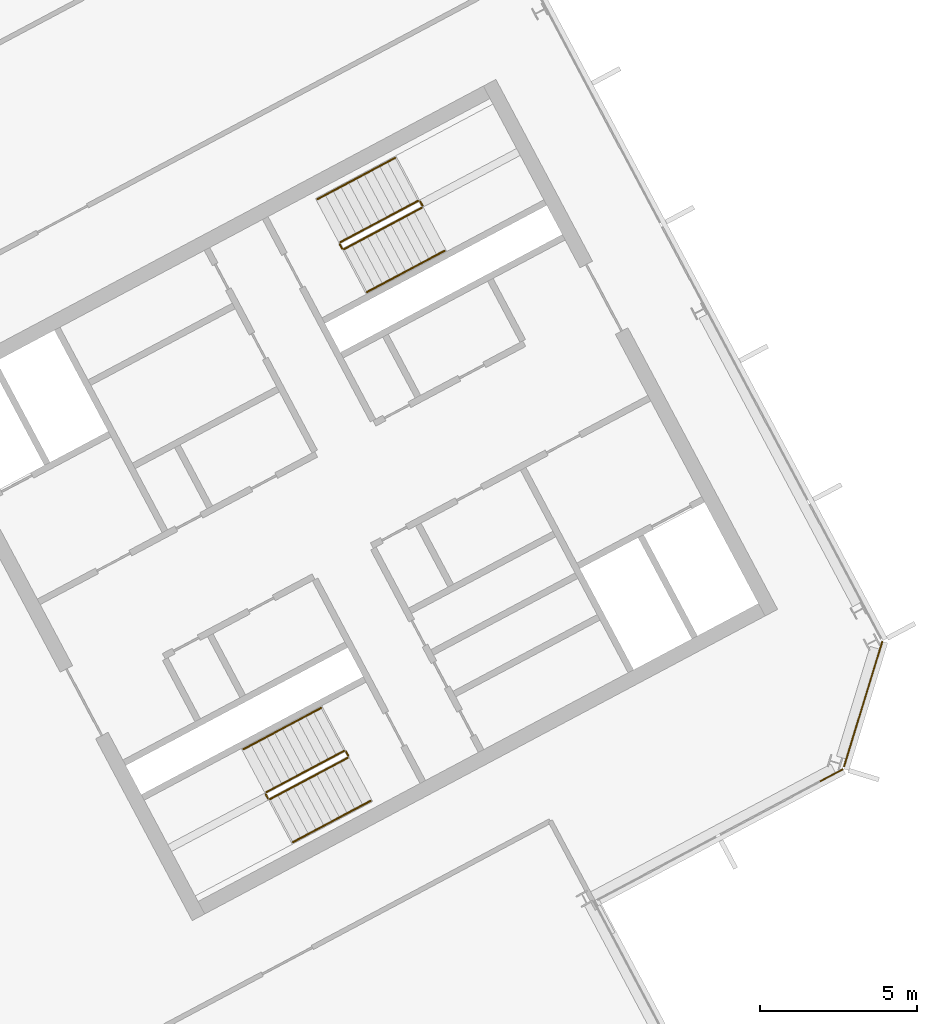
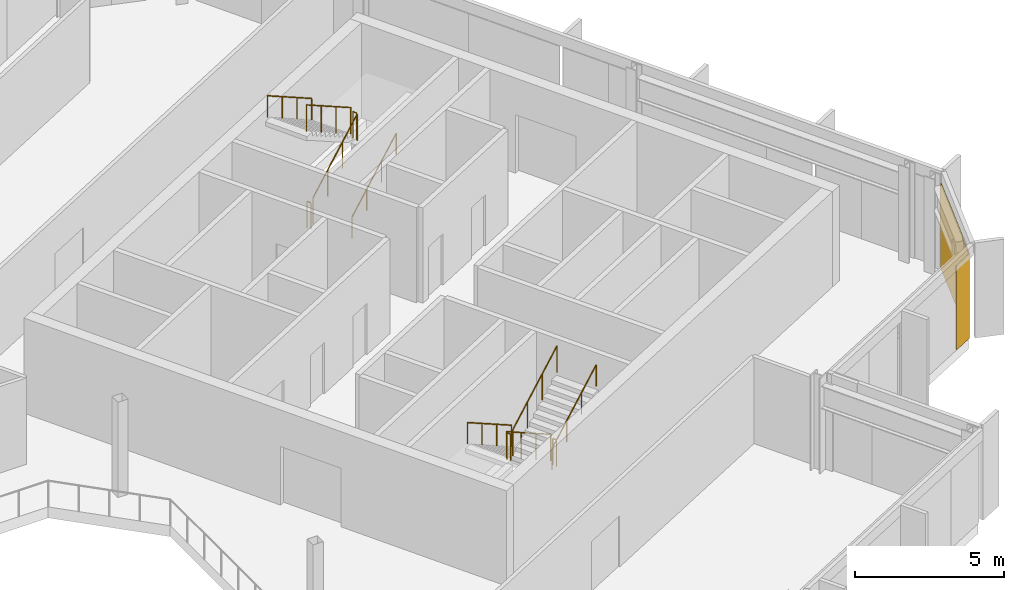
# One storey, part 25 of 26: 12 railings, 2 coverings, 2 elements without a shape of their own.
"""IFC4 building model written with IfcOpenShell, lengths in metres."""

from ifc_helpers import new_model, si_unit, direction, frame, origin, origin_2d, place, context, subcontext, project, spatial, polyline, rectangle, outline, extrude, material, layer, layer_set, type_object, element, aggregate, save


model = new_model("IFC4")

# Units and contexts
model_context = context("Model", 3, precision=1e-05, world=origin(), true_north=direction((0.0, 1.0)))
body_context = subcontext(model_context, "Body", "Model", "MODEL_VIEW")
ifc_project = project(units=[si_unit("LENGTHUNIT", "METRE"), si_unit("AREAUNIT", "SQUARE_METRE"), si_unit("VOLUMEUNIT", "CUBIC_METRE"), si_unit("PLANEANGLEUNIT", "RADIAN"), si_unit("MASSUNIT", "GRAM", prefix="KILO")], contexts=[model_context])

# Site, building, storey
site_placement = place(None, origin())
site = spatial("IfcSite", under=ifc_project, at=site_placement, CompositionType="ELEMENT")
building_placement = place(site_placement, origin())
building = spatial("IfcBuilding", under=site, at=building_placement, Name="Cormorant Relay Tower", CompositionType="ELEMENT")
storey_placement = place(building_placement, frame((0.0, 0.0, 320.39990234375)))
storey = spatial("IfcBuildingStorey", under=building, at=storey_placement, Name="L73", CompositionType="ELEMENT", Elevation=320.39990234375)

# Curtain wall, covering
ifc_material_1 = material(Name="Aluminium 6063-T6 anodised bronze", Category="aluminium")
ifc_layer_1 = layer(ifc_material_1, 0.199951171875)
ifc_layer_set_1 = layer_set([ifc_layer_1], Name="CW1 unitised bronze curtain wall with vertical fins")
curtain_wall_type = type_object("IfcCurtainWallType", Name="CW1 unitised bronze curtain wall with vertical fins", PredefinedType="NOTDEFINED", material=ifc_layer_set_1)
curtain_wall_1_placement = place(storey_placement, origin())
curtain_wall_1 = element("IfcCurtainWall", 1, at=curtain_wall_1_placement, inside=storey, type_object=curtain_wall_type, Name="CW1 curtain wall 4", PredefinedType="NOTDEFINED")
ifc_material_2 = material(Name="Pale bronze anodised aluminium insulated panel", Category="aluminium")
ifc_layer_2 = layer(ifc_material_2, 0.0400390625)
ifc_layer_set_2 = layer_set([ifc_layer_2], Name="CW1 pale bronze insulated panel 40")
covering_type = type_object("IfcCoveringType", Name="CW1 pale bronze insulated panel 40", PredefinedType="CLADDING", material=ifc_layer_set_2)
covering_1_placement = place(storey_placement, frame((39.356201171875, 3.914794921875, 0.0), z_axis=(0.0, 0.0, 1.0), x_axis=(0.882947592859, 0.469471562786, 0.0)))
covering_1 = element("IfcCovering", 2, at=covering_1_placement, type_object=covering_type, Name="CW1 panel S03", PredefinedType="CLADDING", context=body_context, shape_type="SweptSolid", body=[
    extrude(rectangle(XDim=0.824951171875, YDim=0.0400390625, at=origin_2d()), origin(), (0.0, 0.0, 1.0), 3.449951171875),
])
aggregate(curtain_wall_1, [covering_1])

curtain_wall_2_placement = place(storey_placement, origin())
curtain_wall_2 = element("IfcCurtainWall", 3, at=curtain_wall_2_placement, inside=storey, type_object=curtain_wall_type, Name="CW1 curtain wall 5", PredefinedType="NOTDEFINED")
covering_2_placement = place(storey_placement, frame((40.361328125, 6.184814453125, 0.0), z_axis=(0.0, 0.0, 1.0), x_axis=(0.292371704723, 0.956304755963, 0.0)))
covering_2 = element("IfcCovering", 4, at=covering_2_placement, type_object=covering_type, Name="CW1 panel S00", PredefinedType="CLADDING", context=body_context, shape_type="SweptSolid", body=[
    extrude(rectangle(XDim=4.16748046875, YDim=0.0400390625, at=origin_2d()), origin(), (0.0, 0.0, 1.0), 3.449951171875),
])
aggregate(curtain_wall_2, [covering_2])

# Railings
ifc_material_3 = material(Name="Steel ASTM A572 Grade 50 (Fy 345 MPa)", Category="steel")
railing_type_1 = type_object("IfcRailingType", Name="Stair guard 1100", PredefinedType="GUARDRAIL", material=ifc_material_3)
railing_1_placement = place(storey_placement, frame((23.83837890625, 4.6904296875, 0.177490234375)))
element("IfcRailing", 5, at=railing_1_placement, inside=storey, type_object=railing_type_1, Name="L73 B1 stair guard 1", PredefinedType="GUARDRAIL", context=body_context, shape_type="SweptSolid", body=[
    extrude(outline(polyline([(0.022216796875, 0.00927734375), (0.00927734375, 0.022216796875), (-0.00927734375, 0.022216796875), (-0.022216796875, 0.00927734375), (-0.022216796875, -0.00927734375), (-0.00927734375, -0.022216796875), (0.00927734375, -0.022216796875), (0.022216796875, -0.00927734375), (0.022216796875, 0.00927734375)])), frame((0.0, 0.0, 1.076171875), z_axis=(-0.746033882577, -0.396627473466, 0.534901947407), x_axis=(0.469429322983, -0.882970050864, 0.0)), (0.0, 0.0, 1.0), 3.31396484375),
    extrude(outline(polyline([(0.019287109375, 0.008056640625), (0.008056640625, 0.019287109375), (-0.008056640625, 0.019287109375), (-0.019287109375, 0.008056640625), (-0.019287109375, -0.008056640625), (-0.008056640625, -0.019287109375), (0.008056640625, -0.019287109375), (0.019287109375, -0.008056640625), (0.019287109375, 0.008056640625)])), origin(), (0.0, 0.0, 1.0), 1.052001953125),
    extrude(outline(polyline([(0.019287109375, 0.008056640625), (0.008056640625, 0.019287109375), (-0.008056640625, 0.019287109375), (-0.019287109375, 0.008056640625), (-0.019287109375, -0.008056640625), (-0.008056640625, -0.019287109375), (0.008056640625, -0.019287109375), (0.019287109375, -0.008056640625), (0.019287109375, 0.008056640625)])), frame((-0.82421875, -0.438232421875, 0.5908203125)), (0.0, 0.0, 1.0), 1.052001953125),
    extrude(outline(polyline([(0.019287109375, 0.008056640625), (0.008056640625, 0.019287109375), (-0.008056640625, 0.019287109375), (-0.019287109375, 0.008056640625), (-0.019287109375, -0.008056640625), (-0.008056640625, -0.019287109375), (0.008056640625, -0.019287109375), (0.019287109375, -0.008056640625), (0.019287109375, 0.008056640625)])), frame((-1.648193359375, -0.876220703125, 1.181884765625)), (0.0, 0.0, 1.0), 1.052001953125),
    extrude(outline(polyline([(0.019287109375, 0.008056640625), (0.008056640625, 0.019287109375), (-0.008056640625, 0.019287109375), (-0.019287109375, 0.008056640625), (-0.019287109375, -0.008056640625), (-0.008056640625, -0.019287109375), (0.008056640625, -0.019287109375), (0.019287109375, -0.008056640625), (0.019287109375, 0.008056640625)])), frame((-2.472412109375, -1.314453125, 1.772705078125)), (0.0, 0.0, 1.0), 1.052001953125),
])
railing_2_placement = place(storey_placement, frame((21.345458984375, 3.308349609375, 1.9501953125)))
element("IfcRailing", 6, at=railing_2_placement, inside=storey, type_object=railing_type_1, Name="L73 B1 stair guard 2", PredefinedType="GUARDRAIL", context=body_context, shape_type="SweptSolid", body=[
    extrude(outline(polyline([(0.022216796875, 0.00927734375), (0.00927734375, 0.022216796875), (-0.00927734375, 0.022216796875), (-0.022216796875, 0.00927734375), (-0.022216796875, -0.00927734375), (-0.00927734375, -0.022216796875), (0.00927734375, -0.022216796875), (0.022216796875, -0.00927734375), (0.022216796875, 0.00927734375)])), frame((0.0, 0.0, 1.076171875), z_axis=(0.46856034887, -0.8834314911, 0.0), x_axis=(0.8834314911, 0.46856034887, 0.0)), (0.0, 0.0, 1.0), 0.150146484375),
    extrude(outline(polyline([(0.019287109375, 0.008056640625), (0.008056640625, 0.019287109375), (-0.008056640625, 0.019287109375), (-0.019287109375, 0.008056640625), (-0.019287109375, -0.008056640625), (-0.008056640625, -0.019287109375), (0.008056640625, -0.019287109375), (0.019287109375, -0.008056640625), (0.019287109375, 0.008056640625)])), origin(), (0.0, 0.0, 1.0), 1.052001953125),
    extrude(outline(polyline([(0.019287109375, 0.008056640625), (0.008056640625, 0.019287109375), (-0.008056640625, 0.019287109375), (-0.019287109375, 0.008056640625), (-0.019287109375, -0.008056640625), (-0.008056640625, -0.019287109375), (0.008056640625, -0.019287109375), (0.019287109375, -0.008056640625), (0.019287109375, 0.008056640625)])), frame((0.0703125, -0.132568359375, 0.0)), (0.0, 0.0, 1.0), 1.052001953125),
])
railing_3_placement = place(storey_placement, frame((21.4833984375, 3.1552734375, 2.12744140625)))
element("IfcRailing", 7, at=railing_3_placement, inside=storey, type_object=railing_type_1, Name="L73 B1 stair guard 3", PredefinedType="GUARDRAIL", context=body_context, shape_type="SweptSolid", body=[
    extrude(outline(polyline([(0.022216796875, 0.00927734375), (0.00927734375, 0.022216796875), (-0.00927734375, 0.022216796875), (-0.022216796875, 0.00927734375), (-0.022216796875, -0.00927734375), (-0.00927734375, -0.022216796875), (0.00927734375, -0.022216796875), (0.022216796875, -0.00927734375), (0.022216796875, 0.00927734375)])), frame((0.0, 0.0, 1.076171875), z_axis=(0.746001213114, 0.396649272309, 0.534931345884), x_axis=(-0.469465464807, 0.882950835185, 0.0)), (0.0, 0.0, 1.0), 3.31396484375),
    extrude(outline(polyline([(0.019287109375, 0.008056640625), (0.008056640625, 0.019287109375), (-0.008056640625, 0.019287109375), (-0.019287109375, 0.008056640625), (-0.019287109375, -0.008056640625), (-0.008056640625, -0.019287109375), (0.008056640625, -0.019287109375), (0.019287109375, -0.008056640625), (0.019287109375, 0.008056640625)])), origin(), (0.0, 0.0, 1.0), 1.052001953125),
    extrude(outline(polyline([(0.019287109375, 0.008056640625), (0.008056640625, 0.019287109375), (-0.008056640625, 0.019287109375), (-0.019287109375, 0.008056640625), (-0.019287109375, -0.008056640625), (-0.008056640625, -0.019287109375), (0.008056640625, -0.019287109375), (0.019287109375, -0.008056640625), (0.019287109375, 0.008056640625)])), frame((0.823974609375, 0.438232421875, 0.5908203125)), (0.0, 0.0, 1.0), 1.052001953125),
    extrude(outline(polyline([(0.019287109375, 0.008056640625), (0.008056640625, 0.019287109375), (-0.008056640625, 0.019287109375), (-0.019287109375, 0.008056640625), (-0.019287109375, -0.008056640625), (-0.008056640625, -0.019287109375), (0.008056640625, -0.019287109375), (0.019287109375, -0.008056640625), (0.019287109375, 0.008056640625)])), frame((1.648193359375, 0.876220703125, 1.181884765625)), (0.0, 0.0, 1.0), 1.052001953125),
    extrude(outline(polyline([(0.019287109375, 0.008056640625), (0.008056640625, 0.019287109375), (-0.008056640625, 0.019287109375), (-0.019287109375, 0.008056640625), (-0.019287109375, -0.008056640625), (-0.008056640625, -0.019287109375), (0.008056640625, -0.019287109375), (0.019287109375, -0.008056640625), (0.019287109375, 0.008056640625)])), frame((2.47216796875, 1.314453125, 1.772705078125)), (0.0, 0.0, 1.0), 1.052001953125),
])
railing_4_placement = place(storey_placement, frame((23.906005859375, 4.669677734375, 0.0)))
element("IfcRailing", 8, at=railing_4_placement, inside=storey, type_object=railing_type_1, Name="L73 B1 stair guard 4", PredefinedType="GUARDRAIL", context=body_context, shape_type="SweptSolid", body=[
    extrude(outline(polyline([(0.022216796875, 0.00927734375), (0.00927734375, 0.022216796875), (-0.00927734375, 0.022216796875), (-0.022216796875, 0.00927734375), (-0.022216796875, -0.00927734375), (-0.00927734375, -0.022216796875), (0.00927734375, -0.022216796875), (0.022216796875, -0.00927734375), (0.022216796875, 0.00927734375)])), frame((0.0, 0.0, 1.076171875), z_axis=(0.469234640946, -0.883073525669, 0.0), x_axis=(0.883073525669, 0.469234640946, 0.0)), (0.0, 0.0, 1.0), 0.14990234375),
    extrude(outline(polyline([(0.019287109375, 0.008056640625), (0.008056640625, 0.019287109375), (-0.008056640625, 0.019287109375), (-0.019287109375, 0.008056640625), (-0.019287109375, -0.008056640625), (-0.008056640625, -0.019287109375), (0.008056640625, -0.019287109375), (0.019287109375, -0.008056640625), (0.019287109375, 0.008056640625)])), origin(), (0.0, 0.0, 1.0), 1.052001953125),
    extrude(outline(polyline([(0.019287109375, 0.008056640625), (0.008056640625, 0.019287109375), (-0.008056640625, 0.019287109375), (-0.019287109375, 0.008056640625), (-0.019287109375, -0.008056640625), (-0.008056640625, -0.019287109375), (0.008056640625, -0.019287109375), (0.019287109375, -0.008056640625), (0.019287109375, 0.008056640625)])), frame((0.0703125, -0.13232421875, 0.0)), (0.0, 0.0, 1.0), 1.052001953125),
])
railing_5_placement = place(storey_placement, frame((23.8408203125, 20.6611328125, 0.177490234375)))
element("IfcRailing", 9, at=railing_5_placement, inside=storey, type_object=railing_type_1, Name="L73 B2 stair guard 1", PredefinedType="GUARDRAIL", context=body_context, shape_type="SweptSolid", body=[
    extrude(outline(polyline([(0.022216796875, 0.00927734375), (0.00927734375, 0.022216796875), (-0.00927734375, 0.022216796875), (-0.022216796875, 0.00927734375), (-0.022216796875, -0.00927734375), (-0.00927734375, -0.022216796875), (0.00927734375, -0.022216796875), (0.022216796875, -0.00927734375), (0.022216796875, 0.00927734375)])), frame((0.0, 0.0, 1.076171875), z_axis=(0.746033882577, 0.396627473466, 0.534901947407), x_axis=(-0.469429322983, 0.882970050864, 0.0)), (0.0, 0.0, 1.0), 3.31396484375),
    extrude(outline(polyline([(0.019287109375, 0.008056640625), (0.008056640625, 0.019287109375), (-0.008056640625, 0.019287109375), (-0.019287109375, 0.008056640625), (-0.019287109375, -0.008056640625), (-0.008056640625, -0.019287109375), (0.008056640625, -0.019287109375), (0.019287109375, -0.008056640625), (0.019287109375, 0.008056640625)])), origin(), (0.0, 0.0, 1.0), 1.052001953125),
    extrude(outline(polyline([(0.019287109375, 0.008056640625), (0.008056640625, 0.019287109375), (-0.008056640625, 0.019287109375), (-0.019287109375, 0.008056640625), (-0.019287109375, -0.008056640625), (-0.008056640625, -0.019287109375), (0.008056640625, -0.019287109375), (0.019287109375, -0.008056640625), (0.019287109375, 0.008056640625)])), frame((0.82421875, 0.438232421875, 0.5908203125)), (0.0, 0.0, 1.0), 1.052001953125),
    extrude(outline(polyline([(0.019287109375, 0.008056640625), (0.008056640625, 0.019287109375), (-0.008056640625, 0.019287109375), (-0.019287109375, 0.008056640625), (-0.019287109375, -0.008056640625), (-0.008056640625, -0.019287109375), (0.008056640625, -0.019287109375), (0.019287109375, -0.008056640625), (0.019287109375, 0.008056640625)])), frame((1.648193359375, 0.876220703125, 1.181884765625)), (0.0, 0.0, 1.0), 1.052001953125),
    extrude(outline(polyline([(0.019287109375, 0.008056640625), (0.008056640625, 0.019287109375), (-0.008056640625, 0.019287109375), (-0.019287109375, 0.008056640625), (-0.019287109375, -0.008056640625), (-0.008056640625, -0.019287109375), (0.008056640625, -0.019287109375), (0.019287109375, -0.008056640625), (0.019287109375, 0.008056640625)])), frame((2.472412109375, 1.314453125, 1.772705078125)), (0.0, 0.0, 1.0), 1.052001953125),
])
railing_6_placement = place(storey_placement, frame((26.333740234375, 22.043212890625, 1.9501953125)))
element("IfcRailing", 10, at=railing_6_placement, inside=storey, type_object=railing_type_1, Name="L73 B2 stair guard 2", PredefinedType="GUARDRAIL", context=body_context, shape_type="SweptSolid", body=[
    extrude(outline(polyline([(0.022216796875, 0.00927734375), (0.00927734375, 0.022216796875), (-0.00927734375, 0.022216796875), (-0.022216796875, 0.00927734375), (-0.022216796875, -0.00927734375), (-0.00927734375, -0.022216796875), (0.00927734375, -0.022216796875), (0.022216796875, -0.00927734375), (0.022216796875, 0.00927734375)])), frame((0.0, 0.0, 1.076171875), z_axis=(-0.469234640946, 0.883073525669, 0.0), x_axis=(-0.883073525669, -0.469234640946, 0.0)), (0.0, 0.0, 1.0), 0.14990234375),
    extrude(outline(polyline([(0.019287109375, 0.008056640625), (0.008056640625, 0.019287109375), (-0.008056640625, 0.019287109375), (-0.019287109375, 0.008056640625), (-0.019287109375, -0.008056640625), (-0.008056640625, -0.019287109375), (0.008056640625, -0.019287109375), (0.019287109375, -0.008056640625), (0.019287109375, 0.008056640625)])), origin(), (0.0, 0.0, 1.0), 1.052001953125),
    extrude(outline(polyline([(0.019287109375, 0.008056640625), (0.008056640625, 0.019287109375), (-0.008056640625, 0.019287109375), (-0.019287109375, 0.008056640625), (-0.019287109375, -0.008056640625), (-0.008056640625, -0.019287109375), (0.008056640625, -0.019287109375), (0.019287109375, -0.008056640625), (0.019287109375, 0.008056640625)])), frame((-0.0703125, 0.13232421875, 0.0)), (0.0, 0.0, 1.0), 1.052001953125),
])
railing_7_placement = place(storey_placement, frame((26.19580078125, 22.1962890625, 2.12744140625)))
element("IfcRailing", 11, at=railing_7_placement, inside=storey, type_object=railing_type_1, Name="L73 B2 stair guard 3", PredefinedType="GUARDRAIL", context=body_context, shape_type="SweptSolid", body=[
    extrude(outline(polyline([(0.022216796875, 0.00927734375), (0.00927734375, 0.022216796875), (-0.00927734375, 0.022216796875), (-0.022216796875, 0.00927734375), (-0.022216796875, -0.00927734375), (-0.00927734375, -0.022216796875), (0.00927734375, -0.022216796875), (0.022216796875, -0.00927734375), (0.022216796875, 0.00927734375)])), frame((0.0, 0.0, 1.076171875), z_axis=(-0.746033882577, -0.396627473466, 0.534901947407), x_axis=(0.469429322983, -0.882970050864, 0.0)), (0.0, 0.0, 1.0), 3.31396484375),
    extrude(outline(polyline([(0.019287109375, 0.008056640625), (0.008056640625, 0.019287109375), (-0.008056640625, 0.019287109375), (-0.019287109375, 0.008056640625), (-0.019287109375, -0.008056640625), (-0.008056640625, -0.019287109375), (0.008056640625, -0.019287109375), (0.019287109375, -0.008056640625), (0.019287109375, 0.008056640625)])), origin(), (0.0, 0.0, 1.0), 1.052001953125),
    extrude(outline(polyline([(0.019287109375, 0.008056640625), (0.008056640625, 0.019287109375), (-0.008056640625, 0.019287109375), (-0.019287109375, 0.008056640625), (-0.019287109375, -0.008056640625), (-0.008056640625, -0.019287109375), (0.008056640625, -0.019287109375), (0.019287109375, -0.008056640625), (0.019287109375, 0.008056640625)])), frame((-0.82421875, -0.438232421875, 0.5908203125)), (0.0, 0.0, 1.0), 1.052001953125),
    extrude(outline(polyline([(0.019287109375, 0.008056640625), (0.008056640625, 0.019287109375), (-0.008056640625, 0.019287109375), (-0.019287109375, 0.008056640625), (-0.019287109375, -0.008056640625), (-0.008056640625, -0.019287109375), (0.008056640625, -0.019287109375), (0.019287109375, -0.008056640625), (0.019287109375, 0.008056640625)])), frame((-1.648193359375, -0.876220703125, 1.181884765625)), (0.0, 0.0, 1.0), 1.052001953125),
    extrude(outline(polyline([(0.019287109375, 0.008056640625), (0.008056640625, 0.019287109375), (-0.008056640625, 0.019287109375), (-0.019287109375, 0.008056640625), (-0.019287109375, -0.008056640625), (-0.008056640625, -0.019287109375), (0.008056640625, -0.019287109375), (0.019287109375, -0.008056640625), (0.019287109375, 0.008056640625)])), frame((-2.472412109375, -1.314453125, 1.772705078125)), (0.0, 0.0, 1.0), 1.052001953125),
])
railing_8_placement = place(storey_placement, frame((23.773193359375, 20.681640625, 0.0)))
element("IfcRailing", 12, at=railing_8_placement, inside=storey, type_object=railing_type_1, Name="L73 B2 stair guard 4", PredefinedType="GUARDRAIL", context=body_context, shape_type="SweptSolid", body=[
    extrude(outline(polyline([(0.022216796875, 0.00927734375), (0.00927734375, 0.022216796875), (-0.00927734375, 0.022216796875), (-0.022216796875, 0.00927734375), (-0.022216796875, -0.00927734375), (-0.00927734375, -0.022216796875), (0.00927734375, -0.022216796875), (0.022216796875, -0.00927734375), (0.022216796875, 0.00927734375)])), frame((0.0, 0.0, 1.076171875), z_axis=(-0.46856034887, 0.8834314911, 0.0), x_axis=(-0.8834314911, -0.46856034887, 0.0)), (0.0, 0.0, 1.0), 0.150146484375),
    extrude(outline(polyline([(0.019287109375, 0.008056640625), (0.008056640625, 0.019287109375), (-0.008056640625, 0.019287109375), (-0.019287109375, 0.008056640625), (-0.019287109375, -0.008056640625), (-0.008056640625, -0.019287109375), (0.008056640625, -0.019287109375), (0.019287109375, -0.008056640625), (0.019287109375, 0.008056640625)])), origin(), (0.0, 0.0, 1.0), 1.052001953125),
    extrude(outline(polyline([(0.019287109375, 0.008056640625), (0.008056640625, 0.019287109375), (-0.008056640625, 0.019287109375), (-0.019287109375, 0.008056640625), (-0.019287109375, -0.008056640625), (-0.008056640625, -0.019287109375), (0.008056640625, -0.019287109375), (0.019287109375, -0.008056640625), (0.019287109375, 0.008056640625)])), frame((-0.0703125, 0.132568359375, 0.0)), (0.0, 0.0, 1.0), 1.052001953125),
])
ifc_material_4 = material(Name="Steel ASTM A572 Grade 50 (Fy 345 MPa)", Category="steel")
railing_type_2 = type_object("IfcRailingType", Name="Stair handrail 900", PredefinedType="HANDRAIL", material=ifc_material_4)
railing_9_placement = place(storey_placement, frame((23.110595703125, 6.05908203125, 0.177490234375)))
element("IfcRailing", 13, at=railing_9_placement, inside=storey, type_object=railing_type_2, Name="L73 B1 stair handrail 1", PredefinedType="HANDRAIL", context=body_context, shape_type="SweptSolid", body=[
    extrude(outline(polyline([(0.022216796875, 0.00927734375), (0.00927734375, 0.022216796875), (-0.00927734375, 0.022216796875), (-0.022216796875, 0.00927734375), (-0.022216796875, -0.00927734375), (-0.00927734375, -0.022216796875), (0.00927734375, -0.022216796875), (0.022216796875, -0.00927734375), (0.022216796875, 0.00927734375)])), frame((0.0, 0.0, 0.8759765625), z_axis=(-0.745979412481, -0.396711350603, 0.534915713414), x_axis=(0.469533439143, -0.882914689835, 0.0)), (0.0, 0.0, 1.0), 3.31396484375),
    extrude(outline(polyline([(0.019287109375, 0.008056640625), (0.008056640625, 0.019287109375), (-0.008056640625, 0.019287109375), (-0.019287109375, 0.008056640625), (-0.019287109375, -0.008056640625), (-0.008056640625, -0.019287109375), (0.008056640625, -0.019287109375), (0.019287109375, -0.008056640625), (0.019287109375, 0.008056640625)])), origin(), (0.0, 0.0, 1.0), 0.851806640625),
    extrude(outline(polyline([(0.019287109375, 0.008056640625), (0.008056640625, 0.019287109375), (-0.008056640625, 0.019287109375), (-0.019287109375, 0.008056640625), (-0.019287109375, -0.008056640625), (-0.008056640625, -0.019287109375), (0.008056640625, -0.019287109375), (0.019287109375, -0.008056640625), (0.019287109375, 0.008056640625)])), frame((-0.823974609375, -0.438232421875, 0.5908203125)), (0.0, 0.0, 1.0), 0.851806640625),
    extrude(outline(polyline([(0.019287109375, 0.008056640625), (0.008056640625, 0.019287109375), (-0.008056640625, 0.019287109375), (-0.019287109375, 0.008056640625), (-0.019287109375, -0.008056640625), (-0.008056640625, -0.019287109375), (0.008056640625, -0.019287109375), (0.019287109375, -0.008056640625), (0.019287109375, 0.008056640625)])), frame((-1.648193359375, -0.87646484375, 1.181884765625)), (0.0, 0.0, 1.0), 0.851806640625),
    extrude(outline(polyline([(0.019287109375, 0.008056640625), (0.008056640625, 0.019287109375), (-0.008056640625, 0.019287109375), (-0.019287109375, 0.008056640625), (-0.019287109375, -0.008056640625), (-0.008056640625, -0.019287109375), (0.008056640625, -0.019287109375), (0.019287109375, -0.008056640625), (0.019287109375, 0.008056640625)])), frame((-2.47216796875, -1.314697265625, 1.772705078125)), (0.0, 0.0, 1.0), 0.851806640625),
])
railing_10_placement = place(storey_placement, frame((22.211181640625, 1.78662109375, 2.12744140625)))
element("IfcRailing", 14, at=railing_10_placement, inside=storey, type_object=railing_type_2, Name="L73 B1 stair handrail 2", PredefinedType="HANDRAIL", context=body_context, shape_type="SweptSolid", body=[
    extrude(outline(polyline([(0.022216796875, 0.00927734375), (0.00927734375, 0.022216796875), (-0.00927734375, 0.022216796875), (-0.022216796875, 0.00927734375), (-0.022216796875, -0.00927734375), (-0.00927734375, -0.022216796875), (0.00927734375, -0.022216796875), (0.022216796875, -0.00927734375), (0.022216796875, 0.00927734375)])), frame((0.0, 0.0, 0.8759765625), z_axis=(0.746001213114, 0.396649272309, 0.534931345884), x_axis=(-0.469465464807, 0.882950835185, 0.0)), (0.0, 0.0, 1.0), 3.31396484375),
    extrude(outline(polyline([(0.019287109375, 0.008056640625), (0.008056640625, 0.019287109375), (-0.008056640625, 0.019287109375), (-0.019287109375, 0.008056640625), (-0.019287109375, -0.008056640625), (-0.008056640625, -0.019287109375), (0.008056640625, -0.019287109375), (0.019287109375, -0.008056640625), (0.019287109375, 0.008056640625)])), origin(), (0.0, 0.0, 1.0), 0.851806640625),
    extrude(outline(polyline([(0.019287109375, 0.008056640625), (0.008056640625, 0.019287109375), (-0.008056640625, 0.019287109375), (-0.019287109375, 0.008056640625), (-0.019287109375, -0.008056640625), (-0.008056640625, -0.019287109375), (0.008056640625, -0.019287109375), (0.019287109375, -0.008056640625), (0.019287109375, 0.008056640625)])), frame((0.823974609375, 0.438232421875, 0.5908203125)), (0.0, 0.0, 1.0), 0.851806640625),
    extrude(outline(polyline([(0.019287109375, 0.008056640625), (0.008056640625, 0.019287109375), (-0.008056640625, 0.019287109375), (-0.019287109375, 0.008056640625), (-0.019287109375, -0.008056640625), (-0.008056640625, -0.019287109375), (0.008056640625, -0.019287109375), (0.019287109375, -0.008056640625), (0.019287109375, 0.008056640625)])), frame((1.648193359375, 0.876220703125, 1.181884765625)), (0.0, 0.0, 1.0), 0.851806640625),
    extrude(outline(polyline([(0.019287109375, 0.008056640625), (0.008056640625, 0.019287109375), (-0.008056640625, 0.019287109375), (-0.019287109375, 0.008056640625), (-0.019287109375, -0.008056640625), (-0.008056640625, -0.019287109375), (0.008056640625, -0.019287109375), (0.019287109375, -0.008056640625), (0.019287109375, 0.008056640625)])), frame((2.47216796875, 1.314453125, 1.772705078125)), (0.0, 0.0, 1.0), 0.851806640625),
])
railing_11_placement = place(storey_placement, frame((24.568603515625, 19.29248046875, 0.177490234375)))
element("IfcRailing", 15, at=railing_11_placement, inside=storey, type_object=railing_type_2, Name="L73 B2 stair handrail 1", PredefinedType="HANDRAIL", context=body_context, shape_type="SweptSolid", body=[
    extrude(outline(polyline([(0.022216796875, 0.00927734375), (0.00927734375, 0.022216796875), (-0.00927734375, 0.022216796875), (-0.022216796875, 0.00927734375), (-0.022216796875, -0.00927734375), (-0.00927734375, -0.022216796875), (0.00927734375, -0.022216796875), (0.022216796875, -0.00927734375), (0.022216796875, 0.00927734375)])), frame((0.0, 0.0, 0.8759765625), z_axis=(0.746001213114, 0.396649272309, 0.534931345884), x_axis=(-0.469465464807, 0.882950835185, 0.0)), (0.0, 0.0, 1.0), 3.31396484375),
    extrude(outline(polyline([(0.019287109375, 0.008056640625), (0.008056640625, 0.019287109375), (-0.008056640625, 0.019287109375), (-0.019287109375, 0.008056640625), (-0.019287109375, -0.008056640625), (-0.008056640625, -0.019287109375), (0.008056640625, -0.019287109375), (0.019287109375, -0.008056640625), (0.019287109375, 0.008056640625)])), origin(), (0.0, 0.0, 1.0), 0.851806640625),
    extrude(outline(polyline([(0.019287109375, 0.008056640625), (0.008056640625, 0.019287109375), (-0.008056640625, 0.019287109375), (-0.019287109375, 0.008056640625), (-0.019287109375, -0.008056640625), (-0.008056640625, -0.019287109375), (0.008056640625, -0.019287109375), (0.019287109375, -0.008056640625), (0.019287109375, 0.008056640625)])), frame((0.823974609375, 0.438232421875, 0.5908203125)), (0.0, 0.0, 1.0), 0.851806640625),
    extrude(outline(polyline([(0.019287109375, 0.008056640625), (0.008056640625, 0.019287109375), (-0.008056640625, 0.019287109375), (-0.019287109375, 0.008056640625), (-0.019287109375, -0.008056640625), (-0.008056640625, -0.019287109375), (0.008056640625, -0.019287109375), (0.019287109375, -0.008056640625), (0.019287109375, 0.008056640625)])), frame((1.648193359375, 0.876220703125, 1.181884765625)), (0.0, 0.0, 1.0), 0.851806640625),
    extrude(outline(polyline([(0.019287109375, 0.008056640625), (0.008056640625, 0.019287109375), (-0.008056640625, 0.019287109375), (-0.019287109375, 0.008056640625), (-0.019287109375, -0.008056640625), (-0.008056640625, -0.019287109375), (0.008056640625, -0.019287109375), (0.019287109375, -0.008056640625), (0.019287109375, 0.008056640625)])), frame((2.47216796875, 1.314453125, 1.772705078125)), (0.0, 0.0, 1.0), 0.851806640625),
])
railing_12_placement = place(storey_placement, frame((25.468017578125, 23.56494140625, 2.12744140625)))
element("IfcRailing", 16, at=railing_12_placement, inside=storey, type_object=railing_type_2, Name="L73 B2 stair handrail 2", PredefinedType="HANDRAIL", context=body_context, shape_type="SweptSolid", body=[
    extrude(outline(polyline([(0.022216796875, 0.00927734375), (0.00927734375, 0.022216796875), (-0.00927734375, 0.022216796875), (-0.022216796875, 0.00927734375), (-0.022216796875, -0.00927734375), (-0.00927734375, -0.022216796875), (0.00927734375, -0.022216796875), (0.022216796875, -0.00927734375), (0.022216796875, 0.00927734375)])), frame((0.0, 0.0, 0.8759765625), z_axis=(-0.745979412481, -0.396711350603, 0.534915713414), x_axis=(0.469533439143, -0.882914689835, 0.0)), (0.0, 0.0, 1.0), 3.31396484375),
    extrude(outline(polyline([(0.019287109375, 0.008056640625), (0.008056640625, 0.019287109375), (-0.008056640625, 0.019287109375), (-0.019287109375, 0.008056640625), (-0.019287109375, -0.008056640625), (-0.008056640625, -0.019287109375), (0.008056640625, -0.019287109375), (0.019287109375, -0.008056640625), (0.019287109375, 0.008056640625)])), origin(), (0.0, 0.0, 1.0), 0.851806640625),
    extrude(outline(polyline([(0.019287109375, 0.008056640625), (0.008056640625, 0.019287109375), (-0.008056640625, 0.019287109375), (-0.019287109375, 0.008056640625), (-0.019287109375, -0.008056640625), (-0.008056640625, -0.019287109375), (0.008056640625, -0.019287109375), (0.019287109375, -0.008056640625), (0.019287109375, 0.008056640625)])), frame((-0.823974609375, -0.438232421875, 0.5908203125)), (0.0, 0.0, 1.0), 0.851806640625),
    extrude(outline(polyline([(0.019287109375, 0.008056640625), (0.008056640625, 0.019287109375), (-0.008056640625, 0.019287109375), (-0.019287109375, 0.008056640625), (-0.019287109375, -0.008056640625), (-0.008056640625, -0.019287109375), (0.008056640625, -0.019287109375), (0.019287109375, -0.008056640625), (0.019287109375, 0.008056640625)])), frame((-1.648193359375, -0.87646484375, 1.181884765625)), (0.0, 0.0, 1.0), 0.851806640625),
    extrude(outline(polyline([(0.019287109375, 0.008056640625), (0.008056640625, 0.019287109375), (-0.008056640625, 0.019287109375), (-0.019287109375, 0.008056640625), (-0.019287109375, -0.008056640625), (-0.008056640625, -0.019287109375), (0.008056640625, -0.019287109375), (0.019287109375, -0.008056640625), (0.019287109375, 0.008056640625)])), frame((-2.47216796875, -1.314697265625, 1.772705078125)), (0.0, 0.0, 1.0), 0.851806640625),
])

save(model, "model.ifc")
